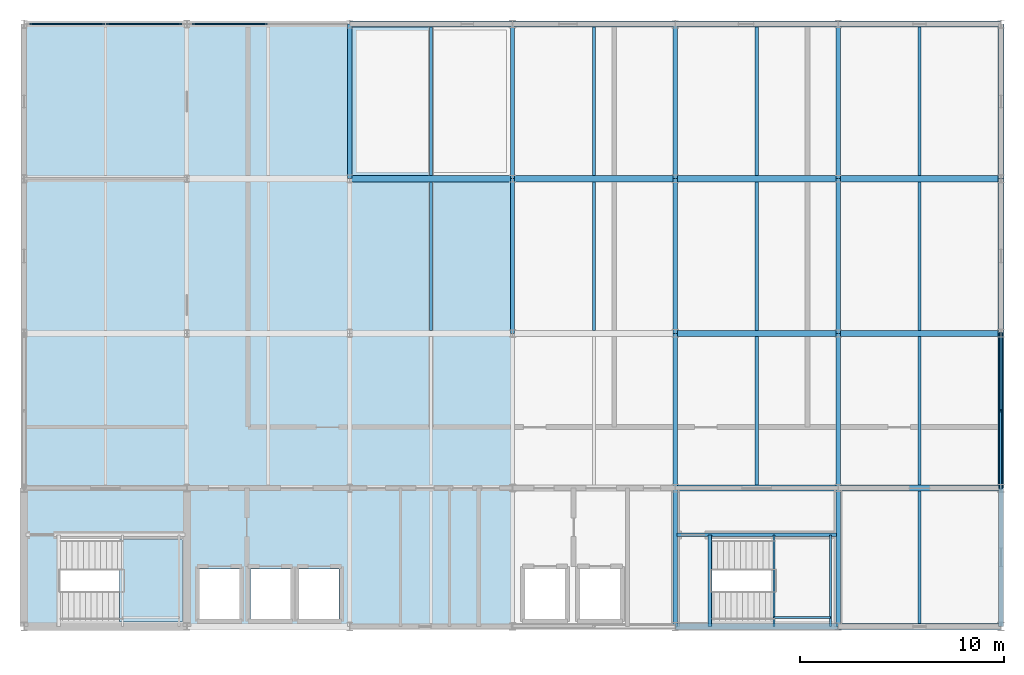
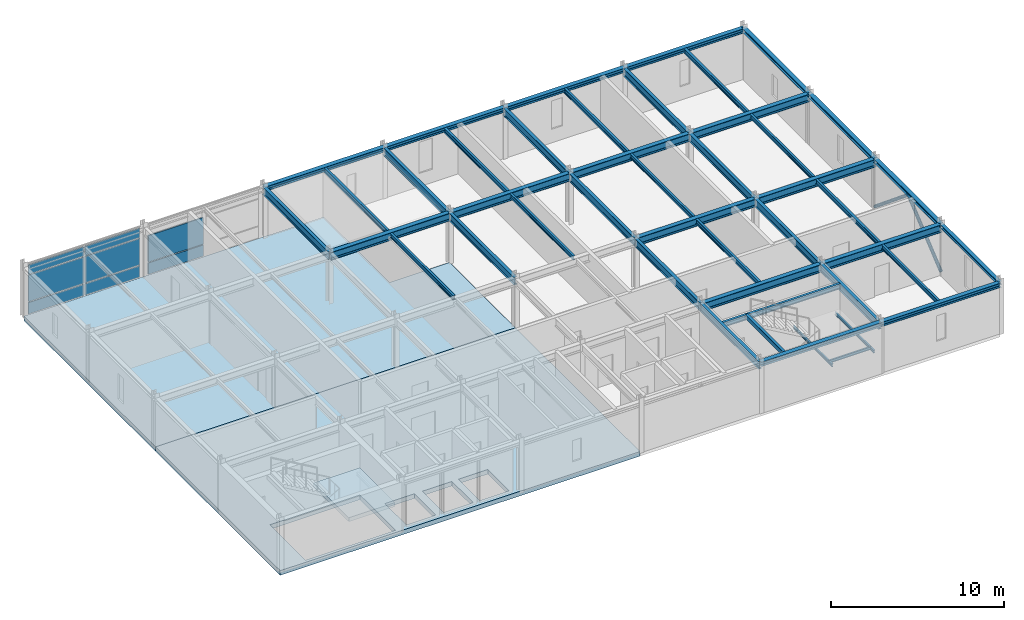
# One storey, part 5 of 9: 45 beams, 8 plates, 3 slabs, 2 members, 3 elements without a shape of their own.
"""IFC4 building model written with IfcOpenShell, lengths in metres."""

from ifc_helpers import new_model, si_unit, direction, frame, origin, origin_2d, place, context, subcontext, project, spatial, polyline, rectangle, hollow_rectangle, hollow_circle, i_section, outline, extrude, material, layer, layer_set, material_profile, profile_set, type_object, element, aggregate, save


model = new_model("IFC4")

# Units and contexts
model_context = context("Model", 3, precision=1e-05, world=origin(), true_north=direction((0.0, 1.0)))
body_context = subcontext(model_context, "Body", "Model", "MODEL_VIEW")
ifc_project = project(units=[si_unit("LENGTHUNIT", "METRE"), si_unit("AREAUNIT", "SQUARE_METRE"), si_unit("VOLUMEUNIT", "CUBIC_METRE"), si_unit("PLANEANGLEUNIT", "RADIAN"), si_unit("MASSUNIT", "GRAM", prefix="KILO")], contexts=[model_context])

# Site, building, storey
site_placement = place(None, origin())
site = spatial("IfcSite", under=ifc_project, at=site_placement, CompositionType="ELEMENT")
building_placement = place(site_placement, origin())
building = spatial("IfcBuilding", under=site, at=building_placement, Name="Shalkamar Park Central Library", CompositionType="ELEMENT")
storey_placement = place(building_placement, frame((0.0, 0.0, 60.0)))
storey = spatial("IfcBuildingStorey", under=building, at=storey_placement, Name="L15", CompositionType="ELEMENT", Elevation=60.0)

# Beams
ifc_material_1 = material(Name="Steel S355", Category="steel")
ifc_material_profile_1 = material_profile(ifc_material_1, i_section(OverallWidth=0.10009765625, OverallDepth=0.199951171875, WebThickness=0.005615234375, FlangeThickness=0.008544921875, FilletRadius=0.011962890625, at=origin_2d()), Name="IPE 200")
ifc_profile_set_1 = profile_set([ifc_material_profile_1], Name="Steel S355")
beam_type_1 = type_object("IfcBeamType", Name="Composite Floor Joist IPE200", PredefinedType="JOIST", material=ifc_profile_set_1)
for number, where, z_axis, x_axis, name in (
    (1, (201.840087890625, 248.39990234375, 1.570068359375), (0.0, 1.0, 0.0), (-1.0, 0.0, 0.0), "Stair Half-Landing Beam ST-T2-L15-1"),
    (2, (204.6201171875, 248.39990234375, 1.570068359375), (0.0, 1.0, 0.0), (-1.0, 0.0, 0.0), "Stair Half-Landing Beam ST-T2-L15-2"),
):
    element("IfcBeam", number, at=place(storey_placement, frame(where, z_axis=z_axis, x_axis=x_axis)), inside=storey, type_object=beam_type_1, Name=name, PredefinedType="JOIST", context=body_context, shape_type="SweptSolid", body=[
        extrude(i_section(OverallWidth=0.10009765625, OverallDepth=0.199951171875, WebThickness=0.005615234375, FlangeThickness=0.008544921875, FilletRadius=0.011962890625, at=origin_2d()), origin(), (0.0, 0.0, 1.0), 4.5),
    ])
beam_1_placement = place(storey_placement, frame((201.840087890625, 248.85009765625, 1.570068359375), z_axis=(1.0, 0.0, 0.0), x_axis=(0.0, 1.0, 0.0)))
element("IfcBeam", 3, at=beam_1_placement, inside=storey, type_object=beam_type_1, Name="Stair Half-Landing Cross Tie ST-T2-L15-3", PredefinedType="JOIST", context=body_context, shape_type="SweptSolid", body=[
    extrude(i_section(OverallWidth=0.10009765625, OverallDepth=0.199951171875, WebThickness=0.005615234375, FlangeThickness=0.008544921875, FilletRadius=0.011962890625, at=origin_2d()), origin(), (0.0, 0.0, 1.0), 2.780029296875),
])
ifc_material_profile_2 = material_profile(ifc_material_1, i_section(OverallWidth=0.14990234375, OverallDepth=0.300048828125, WebThickness=0.007080078125, FlangeThickness=0.0107421875, FilletRadius=0.014892578125, at=origin_2d()), Name="IPE 300")
ifc_profile_set_2 = profile_set([ifc_material_profile_2], Name="Steel S355")
beam_type_2 = type_object("IfcBeamType", Name="Composite Floor Joist IPE300", PredefinedType="JOIST", material=ifc_profile_set_2)
for number, where, z_axis, x_axis, name in (
    (4, (185.0, 262.947998046875, 3.429931640625), (0.0, 1.0, 0.0), (-1.0, 0.0, 0.0), "Composite Joist 09/D-1 (L15)"),
    (5, (193.0, 262.947998046875, 3.429931640625), (0.0, 1.0, 0.0), (-1.0, 0.0, 0.0), "Composite Joist 10/D-1 (L15)"),
    (6, (201.0, 262.947998046875, 3.429931640625), (0.0, 1.0, 0.0), (-1.0, 0.0, 0.0), "Composite Joist 11/D-1 (L15)"),
):
    element("IfcBeam", number, at=place(storey_placement, frame(where, z_axis=z_axis, x_axis=x_axis)), inside=storey, type_object=beam_type_2, Name=name, PredefinedType="JOIST", context=body_context, shape_type="SweptSolid", body=[
        extrude(i_section(OverallWidth=0.14990234375, OverallDepth=0.300048828125, WebThickness=0.007080078125, FlangeThickness=0.0107421875, FilletRadius=0.014892578125, at=origin_2d()), origin(), (0.0, 0.0, 1.0), 7.303955078125),
    ])
beam_2_placement = place(storey_placement, frame((209.0, 248.548095703125, 3.429931640625), z_axis=(0.0, 1.0, 0.0), x_axis=(-1.0, 0.0, 0.0)))
element("IfcBeam", 7, at=beam_2_placement, inside=storey, type_object=beam_type_2, Name="Composite Joist 12/B-1 (L15)", PredefinedType="JOIST", context=body_context, shape_type="SweptSolid", body=[
    extrude(i_section(OverallWidth=0.14990234375, OverallDepth=0.300048828125, WebThickness=0.007080078125, FlangeThickness=0.0107421875, FilletRadius=0.014892578125, at=origin_2d()), origin(), (0.0, 0.0, 1.0), 6.50390625),
])
beam_3_placement = place(storey_placement, frame((209.0, 262.947998046875, 3.429931640625), z_axis=(0.0, 1.0, 0.0), x_axis=(-1.0, 0.0, 0.0)))
element("IfcBeam", 8, at=beam_3_placement, inside=storey, type_object=beam_type_2, Name="Composite Joist 12/D-1 (L15)", PredefinedType="JOIST", context=body_context, shape_type="SweptSolid", body=[
    extrude(i_section(OverallWidth=0.14990234375, OverallDepth=0.300048828125, WebThickness=0.007080078125, FlangeThickness=0.0107421875, FilletRadius=0.014892578125, at=origin_2d()), origin(), (0.0, 0.0, 1.0), 7.303955078125),
])
ifc_material_profile_3 = material_profile(ifc_material_1, i_section(OverallWidth=0.159912109375, OverallDepth=0.330078125, WebThickness=0.007568359375, FlangeThickness=0.011474609375, FilletRadius=0.01806640625, at=origin_2d()), Name="IPE 330")
ifc_profile_set_3 = profile_set([ifc_material_profile_3], Name="Steel S355")
beam_type_3 = type_object("IfcBeamType", Name="Composite Floor Joist IPE330", PredefinedType="JOIST", material=ifc_profile_set_3)
for number, where, z_axis, x_axis, name in (
    (9, (185.0, 270.548095703125, 3.4150390625), (0.0, 1.0, 0.0), (-1.0, 0.0, 0.0), "Composite Joist 09/E-1 (L15)"),
    (10, (193.0, 270.548095703125, 3.4150390625), (0.0, 1.0, 0.0), (-1.0, 0.0, 0.0), "Composite Joist 10/E-1 (L15)"),
):
    element("IfcBeam", number, at=place(storey_placement, frame(where, z_axis=z_axis, x_axis=x_axis)), inside=storey, type_object=beam_type_3, Name=name, PredefinedType="JOIST", context=body_context, shape_type="SweptSolid", body=[
        extrude(i_section(OverallWidth=0.159912109375, OverallDepth=0.330078125, WebThickness=0.007568359375, FlangeThickness=0.011474609375, FilletRadius=0.01806640625, at=origin_2d()), origin(), (0.0, 0.0, 1.0), 7.303955078125),
    ])
beam_4_placement = place(storey_placement, frame((201.0, 255.347900390625, 3.4150390625), z_axis=(0.0, 1.0, 0.0), x_axis=(-1.0, 0.0, 0.0)))
element("IfcBeam", 11, at=beam_4_placement, inside=storey, type_object=beam_type_3, Name="Composite Joist 11/C-1 (L15)", PredefinedType="JOIST", context=body_context, shape_type="SweptSolid", body=[
    extrude(i_section(OverallWidth=0.159912109375, OverallDepth=0.330078125, WebThickness=0.007568359375, FlangeThickness=0.011474609375, FilletRadius=0.01806640625, at=origin_2d()), origin(), (0.0, 0.0, 1.0), 7.30419921875),
])
beam_5_placement = place(storey_placement, frame((201.0, 270.548095703125, 3.4150390625), z_axis=(0.0, 1.0, 0.0), x_axis=(-1.0, 0.0, 0.0)))
element("IfcBeam", 12, at=beam_5_placement, inside=storey, type_object=beam_type_3, Name="Composite Joist 11/E-1 (L15)", PredefinedType="JOIST", context=body_context, shape_type="SweptSolid", body=[
    extrude(i_section(OverallWidth=0.159912109375, OverallDepth=0.330078125, WebThickness=0.007568359375, FlangeThickness=0.011474609375, FilletRadius=0.01806640625, at=origin_2d()), origin(), (0.0, 0.0, 1.0), 7.303955078125),
])
beam_6_placement = place(storey_placement, frame((209.0, 255.347900390625, 3.4150390625), z_axis=(0.0, 1.0, 0.0), x_axis=(-1.0, 0.0, 0.0)))
element("IfcBeam", 13, at=beam_6_placement, inside=storey, type_object=beam_type_3, Name="Composite Joist 12/C-1 (L15)", PredefinedType="JOIST", context=body_context, shape_type="SweptSolid", body=[
    extrude(i_section(OverallWidth=0.159912109375, OverallDepth=0.330078125, WebThickness=0.007568359375, FlangeThickness=0.011474609375, FilletRadius=0.01806640625, at=origin_2d()), origin(), (0.0, 0.0, 1.0), 7.30419921875),
])
beam_7_placement = place(storey_placement, frame((209.0, 270.548095703125, 3.4150390625), z_axis=(0.0, 1.0, 0.0), x_axis=(-1.0, 0.0, 0.0)))
element("IfcBeam", 14, at=beam_7_placement, inside=storey, type_object=beam_type_3, Name="Composite Joist 12/E-1 (L15)", PredefinedType="JOIST", context=body_context, shape_type="SweptSolid", body=[
    extrude(i_section(OverallWidth=0.159912109375, OverallDepth=0.330078125, WebThickness=0.007568359375, FlangeThickness=0.011474609375, FilletRadius=0.01806640625, at=origin_2d()), origin(), (0.0, 0.0, 1.0), 7.303955078125),
])

# Members
ifc_material_profile_4 = material_profile(ifc_material_1, hollow_circle(Radius=0.109619140625, WallThickness=0.010009765625, at=origin_2d()), Name="CHS 219.1x10")
ifc_profile_set_4 = profile_set([ifc_material_profile_4], Name="Steel S355")
member_type = type_object("IfcMemberType", Name="Diagonal Brace CHS219", PredefinedType="BRACE", material=ifc_profile_set_4)
for number, where, z_axis, x_axis, name in (
    (15, (213.0, 255.199951171875, 0.14990234375), (0.0, 0.77186295296, 0.63578894442), (-1.0, 0.0, 0.0), "Chevron Brace TW-E Leg A (L15)"),
    (16, (213.0, 262.800048828125, 0.14990234375), (0.0, -0.77186295296, 0.63578894442), (1.0, 0.0, 0.0), "Chevron Brace TW-E Leg B (L15)"),
):
    element("IfcMember", number, at=place(storey_placement, frame(where, z_axis=z_axis, x_axis=x_axis)), inside=storey, type_object=member_type, Name=name, PredefinedType="BRACE", context=body_context, shape_type="SweptSolid", body=[
        extrude(hollow_circle(Radius=0.109619140625, WallThickness=0.010009765625, at=origin_2d()), origin(), (0.0, 0.0, 1.0), 4.923095703125),
    ])

# Beams
ifc_material_profile_5 = material_profile(ifc_material_1, i_section(OverallWidth=0.239990234375, OverallDepth=0.22998046875, WebThickness=0.007568359375, FlangeThickness=0.011962890625, FilletRadius=0.02099609375, at=origin_2d()), Name="HEA 240")
ifc_profile_set_5 = profile_set([ifc_material_profile_5], Name="Steel S355")
beam_type_4 = type_object("IfcBeamType", Name="Perimeter Spandrel Beam HEA240", PredefinedType="SPANDREL", material=ifc_profile_set_5)
beam_8_placement = place(storey_placement, frame((213.0, 248.39990234375, 3.465087890625), z_axis=(0.0, 1.0, 0.0), x_axis=(-1.0, 0.0, 0.0)))
element("IfcBeam", 17, at=beam_8_placement, inside=storey, type_object=beam_type_4, Name="Beam 13:B-C (L15)", PredefinedType="SPANDREL", context=body_context, shape_type="SweptSolid", body=[
    extrude(i_section(OverallWidth=0.239990234375, OverallDepth=0.22998046875, WebThickness=0.007568359375, FlangeThickness=0.011962890625, FilletRadius=0.02099609375, at=origin_2d()), origin(), (0.0, 0.0, 1.0), 6.800048828125),
])
ifc_material_profile_6 = material_profile(ifc_material_1, i_section(OverallWidth=0.280029296875, OverallDepth=0.27001953125, WebThickness=0.008056640625, FlangeThickness=0.012939453125, FilletRadius=0.02392578125, at=origin_2d()), Name="HEA 280")
ifc_profile_set_6 = profile_set([ifc_material_profile_6], Name="Steel S355")
beam_type_5 = type_object("IfcBeamType", Name="Perimeter Spandrel Beam HEA280", PredefinedType="SPANDREL", material=ifc_profile_set_6)
beam_9_placement = place(storey_placement, frame((213.0, 255.199951171875, 3.445068359375), z_axis=(0.0, 1.0, 0.0), x_axis=(-1.0, 0.0, 0.0)))
element("IfcBeam", 18, at=beam_9_placement, inside=storey, type_object=beam_type_5, Name="Beam 13:C-D (L15)", PredefinedType="SPANDREL", context=body_context, shape_type="SweptSolid", body=[
    extrude(i_section(OverallWidth=0.280029296875, OverallDepth=0.27001953125, WebThickness=0.008056640625, FlangeThickness=0.012939453125, FilletRadius=0.02392578125, at=origin_2d()), origin(), (0.0, 0.0, 1.0), 7.60009765625),
])
beam_10_placement = place(storey_placement, frame((213.0, 262.800048828125, 3.445068359375), z_axis=(0.0, 1.0, 0.0), x_axis=(-1.0, 0.0, 0.0)))
element("IfcBeam", 19, at=beam_10_placement, inside=storey, type_object=beam_type_5, Name="Beam 13:D-E (L15)", PredefinedType="SPANDREL", context=body_context, shape_type="SweptSolid", body=[
    extrude(i_section(OverallWidth=0.280029296875, OverallDepth=0.27001953125, WebThickness=0.008056640625, FlangeThickness=0.012939453125, FilletRadius=0.02392578125, at=origin_2d()), origin(), (0.0, 0.0, 1.0), 7.599853515625),
])
beam_11_placement = place(storey_placement, frame((213.0, 270.39990234375, 3.445068359375), z_axis=(0.0, 1.0, 0.0), x_axis=(-1.0, 0.0, 0.0)))
element("IfcBeam", 20, at=beam_11_placement, inside=storey, type_object=beam_type_5, Name="Beam 13:E-F (L15)", PredefinedType="SPANDREL", context=body_context, shape_type="SweptSolid", body=[
    extrude(i_section(OverallWidth=0.280029296875, OverallDepth=0.27001953125, WebThickness=0.008056640625, FlangeThickness=0.012939453125, FilletRadius=0.02392578125, at=origin_2d()), origin(), (0.0, 0.0, 1.0), 7.60009765625),
])
ifc_material_profile_7 = material_profile(ifc_material_1, i_section(OverallWidth=0.300048828125, OverallDepth=0.31005859375, WebThickness=0.009033203125, FlangeThickness=0.015380859375, FilletRadius=0.027099609375, at=origin_2d()), Name="HEA 320")
ifc_profile_set_7 = profile_set([ifc_material_profile_7], Name="Steel S355")
beam_type_6 = type_object("IfcBeamType", Name="Perimeter Spandrel Beam HEA320", PredefinedType="SPANDREL", material=ifc_profile_set_7)
for number, where, z_axis, x_axis, name in (
    (21, (197.0, 248.39990234375, 3.425048828125), (1.0, 0.0, 0.0), (0.0, 1.0, 0.0), "Beam B:11-12 (L15)"),
    (22, (205.0, 248.39990234375, 3.425048828125), (1.0, 0.0, 0.0), (0.0, 1.0, 0.0), "Beam B:12-13 (L15)"),
    (23, (181.0, 278.0, 3.425048828125), (1.0, 0.0, 0.0), (0.0, 1.0, 0.0), "Beam F:09-10 (L15)"),
    (24, (189.0, 278.0, 3.425048828125), (1.0, 0.0, 0.0), (0.0, 1.0, 0.0), "Beam F:10-11 (L15)"),
    (25, (197.0, 278.0, 3.425048828125), (1.0, 0.0, 0.0), (0.0, 1.0, 0.0), "Beam F:11-12 (L15)"),
    (26, (205.0, 278.0, 3.425048828125), (1.0, 0.0, 0.0), (0.0, 1.0, 0.0), "Beam F:12-13 (L15)"),
):
    element("IfcBeam", number, at=place(storey_placement, frame(where, z_axis=z_axis, x_axis=x_axis)), inside=storey, type_object=beam_type_6, Name=name, PredefinedType="SPANDREL", context=body_context, shape_type="SweptSolid", body=[
        extrude(i_section(OverallWidth=0.300048828125, OverallDepth=0.31005859375, WebThickness=0.009033203125, FlangeThickness=0.015380859375, FilletRadius=0.027099609375, at=origin_2d()), origin(), (0.0, 0.0, 1.0), 8.0),
    ])
ifc_material_profile_8 = material_profile(ifc_material_1, i_section(OverallWidth=0.300048828125, OverallDepth=0.550048828125, WebThickness=0.014892578125, FlangeThickness=0.029052734375, FilletRadius=0.027099609375, at=origin_2d()), Name="HEB 550")
ifc_profile_set_8 = profile_set([ifc_material_profile_8], Name="Steel S355")
beam_type_7 = type_object("IfcBeamType", Name="Primary Girder HEB550", PredefinedType="BEAM", material=ifc_profile_set_8)
for number, where, z_axis, x_axis, name in (
    (27, (197.0, 255.199951171875, 3.304931640625), (1.0, 0.0, 0.0), (0.0, 1.0, 0.0), "Beam C:11-12 (L15)"),
    (28, (205.0, 255.199951171875, 3.304931640625), (1.0, 0.0, 0.0), (0.0, 1.0, 0.0), "Beam C:12-13 (L15)"),
    (29, (197.0, 262.800048828125, 3.304931640625), (1.0, 0.0, 0.0), (0.0, 1.0, 0.0), "Beam D:11-12 (L15)"),
    (30, (205.0, 262.800048828125, 3.304931640625), (1.0, 0.0, 0.0), (0.0, 1.0, 0.0), "Beam D:12-13 (L15)"),
    (31, (181.0, 270.39990234375, 3.304931640625), (1.0, 0.0, 0.0), (0.0, 1.0, 0.0), "Beam E:09-10 (L15)"),
    (32, (189.0, 270.39990234375, 3.304931640625), (1.0, 0.0, 0.0), (0.0, 1.0, 0.0), "Beam E:10-11 (L15)"),
    (33, (197.0, 270.39990234375, 3.304931640625), (1.0, 0.0, 0.0), (0.0, 1.0, 0.0), "Beam E:11-12 (L15)"),
    (34, (205.0, 270.39990234375, 3.304931640625), (1.0, 0.0, 0.0), (0.0, 1.0, 0.0), "Beam E:12-13 (L15)"),
):
    element("IfcBeam", number, at=place(storey_placement, frame(where, z_axis=z_axis, x_axis=x_axis)), inside=storey, type_object=beam_type_7, Name=name, PredefinedType="BEAM", context=body_context, shape_type="SweptSolid", body=[
        extrude(i_section(OverallWidth=0.300048828125, OverallDepth=0.550048828125, WebThickness=0.014892578125, FlangeThickness=0.029052734375, FilletRadius=0.027099609375, at=origin_2d()), origin(), (0.0, 0.0, 1.0), 8.0),
    ])
ifc_material_profile_9 = material_profile(ifc_material_1, i_section(OverallWidth=0.169921875, OverallDepth=0.360107421875, WebThickness=0.008056640625, FlangeThickness=0.0126953125, FilletRadius=0.01806640625, at=origin_2d()), Name="IPE 360")
ifc_profile_set_9 = profile_set([ifc_material_profile_9], Name="Steel S355")
beam_type_8 = type_object("IfcBeamType", Name="Primary Girder IPE360", PredefinedType="BEAM", material=ifc_profile_set_9)
beam_12_placement = place(storey_placement, frame((197.087890625, 252.89990234375, 3.39990234375), z_axis=(1.0, 0.0, 0.0), x_axis=(0.0, 1.0, 0.0)))
element("IfcBeam", 35, at=beam_12_placement, inside=storey, type_object=beam_type_8, Name="CORE-T2 Stairwell Divider Beam (L15)", PredefinedType="BEAM", context=body_context, shape_type="SweptSolid", body=[
    extrude(i_section(OverallWidth=0.169921875, OverallDepth=0.360107421875, WebThickness=0.008056640625, FlangeThickness=0.0126953125, FilletRadius=0.01806640625, at=origin_2d()), origin(), (0.0, 0.0, 1.0), 7.82421875),
])
ifc_material_profile_10 = material_profile(ifc_material_1, i_section(OverallWidth=0.2099609375, OverallDepth=0.550048828125, WebThickness=0.010986328125, FlangeThickness=0.01708984375, FilletRadius=0.02392578125, at=origin_2d()), Name="IPE 550")
ifc_profile_set_10 = profile_set([ifc_material_profile_10], Name="Steel S355")
beam_type_9 = type_object("IfcBeamType", Name="Primary Girder IPE550", PredefinedType="BEAM", material=ifc_profile_set_10)
beam_13_placement = place(storey_placement, frame((181.0, 270.39990234375, 3.304931640625), z_axis=(0.0, 1.0, 0.0), x_axis=(-1.0, 0.0, 0.0)))
element("IfcBeam", 36, at=beam_13_placement, inside=storey, type_object=beam_type_9, Name="Beam 09:E-F (L15)", PredefinedType="BEAM", context=body_context, shape_type="SweptSolid", body=[
    extrude(i_section(OverallWidth=0.2099609375, OverallDepth=0.550048828125, WebThickness=0.010986328125, FlangeThickness=0.01708984375, FilletRadius=0.02392578125, at=origin_2d()), origin(), (0.0, 0.0, 1.0), 7.60009765625),
])
beam_14_placement = place(storey_placement, frame((189.0, 262.800048828125, 3.304931640625), z_axis=(0.0, 1.0, 0.0), x_axis=(-1.0, 0.0, 0.0)))
element("IfcBeam", 37, at=beam_14_placement, inside=storey, type_object=beam_type_9, Name="Beam 10:D-E (L15)", PredefinedType="BEAM", context=body_context, shape_type="SweptSolid", body=[
    extrude(i_section(OverallWidth=0.2099609375, OverallDepth=0.550048828125, WebThickness=0.010986328125, FlangeThickness=0.01708984375, FilletRadius=0.02392578125, at=origin_2d()), origin(), (0.0, 0.0, 1.0), 7.599853515625),
])
beam_15_placement = place(storey_placement, frame((189.0, 270.39990234375, 3.304931640625), z_axis=(0.0, 1.0, 0.0), x_axis=(-1.0, 0.0, 0.0)))
element("IfcBeam", 38, at=beam_15_placement, inside=storey, type_object=beam_type_9, Name="Beam 10:E-F (L15)", PredefinedType="BEAM", context=body_context, shape_type="SweptSolid", body=[
    extrude(i_section(OverallWidth=0.2099609375, OverallDepth=0.550048828125, WebThickness=0.010986328125, FlangeThickness=0.01708984375, FilletRadius=0.02392578125, at=origin_2d()), origin(), (0.0, 0.0, 1.0), 7.60009765625),
])
beam_16_placement = place(storey_placement, frame((197.0, 248.39990234375, 3.304931640625), z_axis=(0.0, 1.0, 0.0), x_axis=(-1.0, 0.0, 0.0)))
element("IfcBeam", 39, at=beam_16_placement, inside=storey, type_object=beam_type_9, Name="Beam 11:B-C (L15)", PredefinedType="BEAM", context=body_context, shape_type="SweptSolid", body=[
    extrude(i_section(OverallWidth=0.2099609375, OverallDepth=0.550048828125, WebThickness=0.010986328125, FlangeThickness=0.01708984375, FilletRadius=0.02392578125, at=origin_2d()), origin(), (0.0, 0.0, 1.0), 6.800048828125),
])
beam_17_placement = place(storey_placement, frame((197.0, 255.199951171875, 3.304931640625), z_axis=(0.0, 1.0, 0.0), x_axis=(-1.0, 0.0, 0.0)))
element("IfcBeam", 40, at=beam_17_placement, inside=storey, type_object=beam_type_9, Name="Beam 11:C-D (L15)", PredefinedType="BEAM", context=body_context, shape_type="SweptSolid", body=[
    extrude(i_section(OverallWidth=0.2099609375, OverallDepth=0.550048828125, WebThickness=0.010986328125, FlangeThickness=0.01708984375, FilletRadius=0.02392578125, at=origin_2d()), origin(), (0.0, 0.0, 1.0), 7.60009765625),
])
beam_18_placement = place(storey_placement, frame((197.0, 262.800048828125, 3.304931640625), z_axis=(0.0, 1.0, 0.0), x_axis=(-1.0, 0.0, 0.0)))
element("IfcBeam", 41, at=beam_18_placement, inside=storey, type_object=beam_type_9, Name="Beam 11:D-E (L15)", PredefinedType="BEAM", context=body_context, shape_type="SweptSolid", body=[
    extrude(i_section(OverallWidth=0.2099609375, OverallDepth=0.550048828125, WebThickness=0.010986328125, FlangeThickness=0.01708984375, FilletRadius=0.02392578125, at=origin_2d()), origin(), (0.0, 0.0, 1.0), 7.599853515625),
])
beam_19_placement = place(storey_placement, frame((197.0, 270.39990234375, 3.304931640625), z_axis=(0.0, 1.0, 0.0), x_axis=(-1.0, 0.0, 0.0)))
element("IfcBeam", 42, at=beam_19_placement, inside=storey, type_object=beam_type_9, Name="Beam 11:E-F (L15)", PredefinedType="BEAM", context=body_context, shape_type="SweptSolid", body=[
    extrude(i_section(OverallWidth=0.2099609375, OverallDepth=0.550048828125, WebThickness=0.010986328125, FlangeThickness=0.01708984375, FilletRadius=0.02392578125, at=origin_2d()), origin(), (0.0, 0.0, 1.0), 7.60009765625),
])
beam_20_placement = place(storey_placement, frame((205.0, 248.39990234375, 3.304931640625), z_axis=(0.0, 1.0, 0.0), x_axis=(-1.0, 0.0, 0.0)))
element("IfcBeam", 43, at=beam_20_placement, inside=storey, type_object=beam_type_9, Name="Beam 12:B-C (L15)", PredefinedType="BEAM", context=body_context, shape_type="SweptSolid", body=[
    extrude(i_section(OverallWidth=0.2099609375, OverallDepth=0.550048828125, WebThickness=0.010986328125, FlangeThickness=0.01708984375, FilletRadius=0.02392578125, at=origin_2d()), origin(), (0.0, 0.0, 1.0), 6.800048828125),
])
beam_21_placement = place(storey_placement, frame((205.0, 255.199951171875, 3.304931640625), z_axis=(0.0, 1.0, 0.0), x_axis=(-1.0, 0.0, 0.0)))
element("IfcBeam", 44, at=beam_21_placement, inside=storey, type_object=beam_type_9, Name="Beam 12:C-D (L15)", PredefinedType="BEAM", context=body_context, shape_type="SweptSolid", body=[
    extrude(i_section(OverallWidth=0.2099609375, OverallDepth=0.550048828125, WebThickness=0.010986328125, FlangeThickness=0.01708984375, FilletRadius=0.02392578125, at=origin_2d()), origin(), (0.0, 0.0, 1.0), 7.60009765625),
])
beam_22_placement = place(storey_placement, frame((205.0, 262.800048828125, 3.304931640625), z_axis=(0.0, 1.0, 0.0), x_axis=(-1.0, 0.0, 0.0)))
element("IfcBeam", 45, at=beam_22_placement, inside=storey, type_object=beam_type_9, Name="Beam 12:D-E (L15)", PredefinedType="BEAM", context=body_context, shape_type="SweptSolid", body=[
    extrude(i_section(OverallWidth=0.2099609375, OverallDepth=0.550048828125, WebThickness=0.010986328125, FlangeThickness=0.01708984375, FilletRadius=0.02392578125, at=origin_2d()), origin(), (0.0, 0.0, 1.0), 7.599853515625),
])
beam_23_placement = place(storey_placement, frame((205.0, 270.39990234375, 3.304931640625), z_axis=(0.0, 1.0, 0.0), x_axis=(-1.0, 0.0, 0.0)))
element("IfcBeam", 46, at=beam_23_placement, inside=storey, type_object=beam_type_9, Name="Beam 12:E-F (L15)", PredefinedType="BEAM", context=body_context, shape_type="SweptSolid", body=[
    extrude(i_section(OverallWidth=0.2099609375, OverallDepth=0.550048828125, WebThickness=0.010986328125, FlangeThickness=0.01708984375, FilletRadius=0.02392578125, at=origin_2d()), origin(), (0.0, 0.0, 1.0), 7.60009765625),
])
ifc_material_profile_11 = material_profile(ifc_material_1, hollow_rectangle(XDim=0.199951171875, YDim=0.300048828125, WallThickness=0.011962890625, InnerFilletRadius=0.011962890625, OuterFilletRadius=0.01806640625, at=origin_2d()), Name="RHS 300x200x12")
ifc_profile_set_11 = profile_set([ifc_material_profile_11], Name="Steel S355")
beam_type_10 = type_object("IfcBeamType", Name="Stair Trimmer Box RHS300x200", PredefinedType="BEAM", material=ifc_profile_set_11)
beam_24_placement = place(storey_placement, frame((198.699951171875, 248.39990234375, 3.429931640625), z_axis=(0.0, 1.0, 0.0), x_axis=(-1.0, 0.0, 0.0)))
element("IfcBeam", 47, at=beam_24_placement, inside=storey, type_object=beam_type_10, Name="Stair Arrival Trimmer Girder ST-T2-L15", PredefinedType="BEAM", context=body_context, shape_type="SweptSolid", body=[
    extrude(hollow_rectangle(XDim=0.199951171875, YDim=0.300048828125, WallThickness=0.011962890625, InnerFilletRadius=0.011962890625, OuterFilletRadius=0.01806640625, at=origin_2d()), origin(), (0.0, 0.0, 1.0), 4.5),
])

# Curtain wall, plates
ifc_material_2 = material(Name="Thermally broken aluminium and triple low-e curtain wall", Category="aluminium")
ifc_layer_1 = layer(ifc_material_2, 0.264892578125)
ifc_layer_set_1 = layer_set([ifc_layer_1], Name="UnitisedCurtainWall_99")
curtain_wall_type_1 = type_object("IfcCurtainWallType", Name="Unitised Curtain Wall 99", PredefinedType="USERDEFINED", material=ifc_layer_set_1)
curtain_wall_1_placement = place(storey_placement, origin())
curtain_wall_1 = element("IfcCurtainWall", 48, at=curtain_wall_1_placement, inside=storey, type_object=curtain_wall_type_1, Name="Unitised Curtain Wall CW-L15-157", ObjectType="UNITISED CURTAIN WALL", PredefinedType="USERDEFINED")
ifc_material_3 = material(Name="Insulated aluminium spandrel panel", Category="aluminium")
ifc_layer_2 = layer(ifc_material_3, 0.080078125)
ifc_layer_set_2 = layer_set([ifc_layer_2], Name="SpandrelShadowboxPanel_80")
plate_type_1 = type_object("IfcPlateType", Name="Spandrel Shadowbox Panel 80", PredefinedType="CURTAIN_PANEL", material=ifc_layer_set_2)
plate_1_placement = place(storey_placement, frame((175.108154296875, 278.0, 0.070068359375), z_axis=(0.0, 0.0, 1.0), x_axis=(1.0, 0.0, 0.0)))
plate_1 = element("IfcPlate", 49, at=plate_1_placement, type_object=plate_type_1, Name="CW-99 panel 1.1", PredefinedType="CURTAIN_PANEL", context=body_context, shape_type="SweptSolid", body=[
    extrude(rectangle(XDim=3.678466796875, YDim=0.080078125, at=origin_2d()), origin(), (0.0, 0.0, 1.0), 0.794921875),
])
plate_2_placement = place(storey_placement, frame((175.108154296875, 278.0, 0.93505859375), z_axis=(0.0, 0.0, 1.0), x_axis=(1.0, 0.0, 0.0)))
plate_2 = element("IfcPlate", 50, at=plate_2_placement, type_object=plate_type_1, Name="CW-99 panel 1.2", PredefinedType="CURTAIN_PANEL", context=body_context, shape_type="SweptSolid", body=[
    extrude(rectangle(XDim=3.678466796875, YDim=0.080078125, at=origin_2d()), origin(), (0.0, 0.0, 1.0), 1.860107421875),
])
aggregate(curtain_wall_1, [plate_1, plate_2])

# Stair, slab
ifc_material_4 = material(Name="Concrete C35/45", Category="concrete")
stair_type = type_object("IfcStairType", Name="Protected Dog Leg Stair 150x390", PredefinedType="TWO_STRAIGHT_RUN_STAIR", material=ifc_material_4)
stair_placement = place(storey_placement, origin())
stair = element("IfcStair", 51, at=stair_placement, inside=storey, type_object=stair_type, Name="Protected Core Stair ST-T1-L15", PredefinedType="TWO_STRAIGHT_RUN_STAIR")
ifc_layer_3 = layer(ifc_material_4, 0.280029296875)
ifc_layer_set_3 = layer_set([ifc_layer_3], Name="Concrete C35/45")
slab_type_1 = type_object("IfcSlabType", Name="Stair Landing Slab 160", PredefinedType="LANDING", material=ifc_layer_set_3)
slab_1_placement = place(storey_placement, frame((0.0, 0.0, 1.669921875)))
slab_1 = element("IfcSlab", 52, at=slab_1_placement, type_object=slab_type_1, Name="ST-T1-L15 landing 1", PredefinedType="LANDING", context=body_context, shape_type="SweptSolid", body=[
    extrude(outline(polyline([(169.699951171875, 248.6201171875), (172.780029296875, 248.6201171875), (172.780029296875, 252.679931640625), (169.699951171875, 252.679931640625), (169.699951171875, 248.6201171875)])), origin(), (0.0, 0.0, 1.0), 0.280029296875),
])
aggregate(stair, [slab_1])

# Slabs
ifc_layer_4 = layer(ifc_material_4, 0.320068359375)
ifc_layer_set_4 = layer_set([ifc_layer_4], Name="Concrete C35/45")
slab_type_2 = type_object("IfcSlabType", Name="Suspended Floor Slab 320", PredefinedType="FLOOR", material=ifc_layer_set_4)
slab_2_placement = place(storey_placement, frame((0.0, 0.0, -0.320068359375)))
element("IfcSlab", 53, at=slab_2_placement, inside=storey, type_object=slab_type_2, Name="Level L15 Composite Floor Slab NW", PredefinedType="FLOOR", context=body_context, shape_type="SweptSolid", body=[
    extrude(outline(polyline([(165.0, 262.800048828125), (188.989990234375, 262.800048828125), (188.989990234375, 270.389892578125), (184.989990234375, 270.389892578125), (184.989990234375, 278.0), (165.0, 278.0), (165.0, 262.800048828125)])), origin(), (0.0, 0.0, 1.0), 0.320068359375),
])
slab_3_placement = place(storey_placement, frame((0.0, 0.0, -0.320068359375)))
element("IfcSlab", 54, at=slab_3_placement, inside=storey, type_object=slab_type_2, Name="Level L15 Composite Floor Slab SW", PredefinedType="FLOOR", context=body_context, shape_type="SweptSolid", body=[
    extrude(outline(polyline([(165.0, 248.39990234375), (165.0, 262.800048828125), (189.0, 262.800048828125), (189.0, 248.39990234375), (165.0, 248.39990234375)]), holes=[polyline([(173.6201171875, 248.77001953125), (175.580078125, 248.77001953125), (175.580078125, 251.22998046875), (173.6201171875, 251.22998046875), (173.6201171875, 248.77001953125)]), polyline([(176.1201171875, 251.22998046875), (176.1201171875, 248.77001953125), (178.080078125, 248.77001953125), (178.080078125, 251.22998046875), (176.1201171875, 251.22998046875)]), polyline([(178.52001953125, 251.22998046875), (178.52001953125, 248.77001953125), (180.47998046875, 248.77001953125), (180.47998046875, 251.22998046875), (178.52001953125, 251.22998046875)]), polyline([(166.800048828125, 252.699951171875), (166.800048828125, 248.60009765625), (172.800048828125, 248.60009765625), (172.800048828125, 252.699951171875), (166.800048828125, 252.699951171875)])]), origin(), (0.0, 0.0, 1.0), 0.320068359375),
])

# Curtain wall, plates
ifc_layer_5 = layer(ifc_material_2, 0.27001953125)
ifc_layer_set_5 = layer_set([ifc_layer_5], Name="UnitisedCurtainWall_98")
curtain_wall_type_2 = type_object("IfcCurtainWallType", Name="Unitised Curtain Wall 98", PredefinedType="USERDEFINED", material=ifc_layer_set_5)
curtain_wall_2_placement = place(storey_placement, origin())
curtain_wall_2 = element("IfcCurtainWall", 55, at=curtain_wall_2_placement, inside=storey, type_object=curtain_wall_type_2, Name="Unitised Curtain Wall CW-L15-156", ObjectType="UNITISED CURTAIN WALL", PredefinedType="USERDEFINED")
ifc_material_5 = material(Name="Triple-glazed laminated glass", Category="glass")
ifc_layer_6 = layer(ifc_material_5, 0.06005859375)
ifc_layer_set_6 = layer_set([ifc_layer_6], Name="TripleGlazedPodiumPanel_60")
plate_type_2 = type_object("IfcPlateType", Name="Triple Glazed Podium Panel 60", PredefinedType="CURTAIN_PANEL", material=ifc_layer_set_6)
plate_3_placement = place(storey_placement, frame((167.126953125, 278.0, 0.06494140625), z_axis=(0.0, 0.0, 1.0), x_axis=(1.0, 0.0, 0.0)))
plate_3 = element("IfcPlate", 56, at=plate_3_placement, type_object=plate_type_2, Name="CW-98 panel 1.1", PredefinedType="CURTAIN_PANEL", context=body_context, shape_type="SweptSolid", body=[
    extrude(rectangle(XDim=3.68603515625, YDim=0.06005859375, at=origin_2d()), origin(), (0.0, 0.0, 1.0), 0.802490234375),
])
plate_4_placement = place(storey_placement, frame((167.126953125, 278.0, 0.9326171875), z_axis=(0.0, 0.0, 1.0), x_axis=(1.0, 0.0, 0.0)))
plate_4 = element("IfcPlate", 57, at=plate_4_placement, type_object=plate_type_2, Name="CW-98 panel 1.2", PredefinedType="CURTAIN_PANEL", context=body_context, shape_type="SweptSolid", body=[
    extrude(rectangle(XDim=3.68603515625, YDim=0.06005859375, at=origin_2d()), origin(), (0.0, 0.0, 1.0), 1.864990234375),
])
plate_5_placement = place(storey_placement, frame((167.126953125, 278.0, 2.8623046875), z_axis=(0.0, 0.0, 1.0), x_axis=(1.0, 0.0, 0.0)))
plate_5 = element("IfcPlate", 58, at=plate_5_placement, type_object=plate_type_2, Name="CW-98 panel 1.3", PredefinedType="CURTAIN_PANEL", context=body_context, shape_type="SweptSolid", body=[
    extrude(rectangle(XDim=3.68603515625, YDim=0.06005859375, at=origin_2d()), origin(), (0.0, 0.0, 1.0), 0.652587890625),
])
plate_6_placement = place(storey_placement, frame((170.89306640625, 278.0, 0.06494140625), z_axis=(0.0, 0.0, 1.0), x_axis=(1.0, 0.0, 0.0)))
plate_6 = element("IfcPlate", 59, at=plate_6_placement, type_object=plate_type_2, Name="CW-98 panel 2.1", PredefinedType="CURTAIN_PANEL", context=body_context, shape_type="SweptSolid", body=[
    extrude(rectangle(XDim=3.68603515625, YDim=0.06005859375, at=origin_2d()), origin(), (0.0, 0.0, 1.0), 0.802490234375),
])
plate_7_placement = place(storey_placement, frame((170.89306640625, 278.0, 0.9326171875), z_axis=(0.0, 0.0, 1.0), x_axis=(1.0, 0.0, 0.0)))
plate_7 = element("IfcPlate", 60, at=plate_7_placement, type_object=plate_type_2, Name="CW-98 panel 2.2", PredefinedType="CURTAIN_PANEL", context=body_context, shape_type="SweptSolid", body=[
    extrude(rectangle(XDim=3.68603515625, YDim=0.06005859375, at=origin_2d()), origin(), (0.0, 0.0, 1.0), 1.864990234375),
])
plate_8_placement = place(storey_placement, frame((170.89306640625, 278.0, 2.8623046875), z_axis=(0.0, 0.0, 1.0), x_axis=(1.0, 0.0, 0.0)))
plate_8 = element("IfcPlate", 61, at=plate_8_placement, type_object=plate_type_2, Name="CW-98 panel 2.3", PredefinedType="CURTAIN_PANEL", context=body_context, shape_type="SweptSolid", body=[
    extrude(rectangle(XDim=3.68603515625, YDim=0.06005859375, at=origin_2d()), origin(), (0.0, 0.0, 1.0), 0.652587890625),
])
aggregate(curtain_wall_2, [plate_3, plate_4, plate_5, plate_6, plate_7, plate_8])

save(model, "model.ifc")
